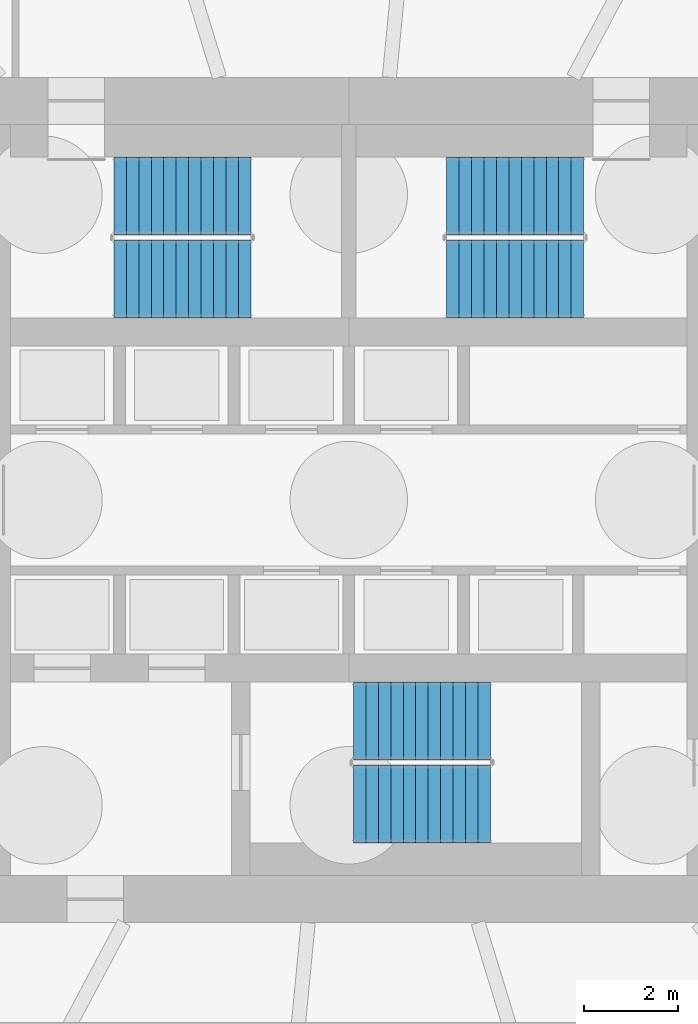
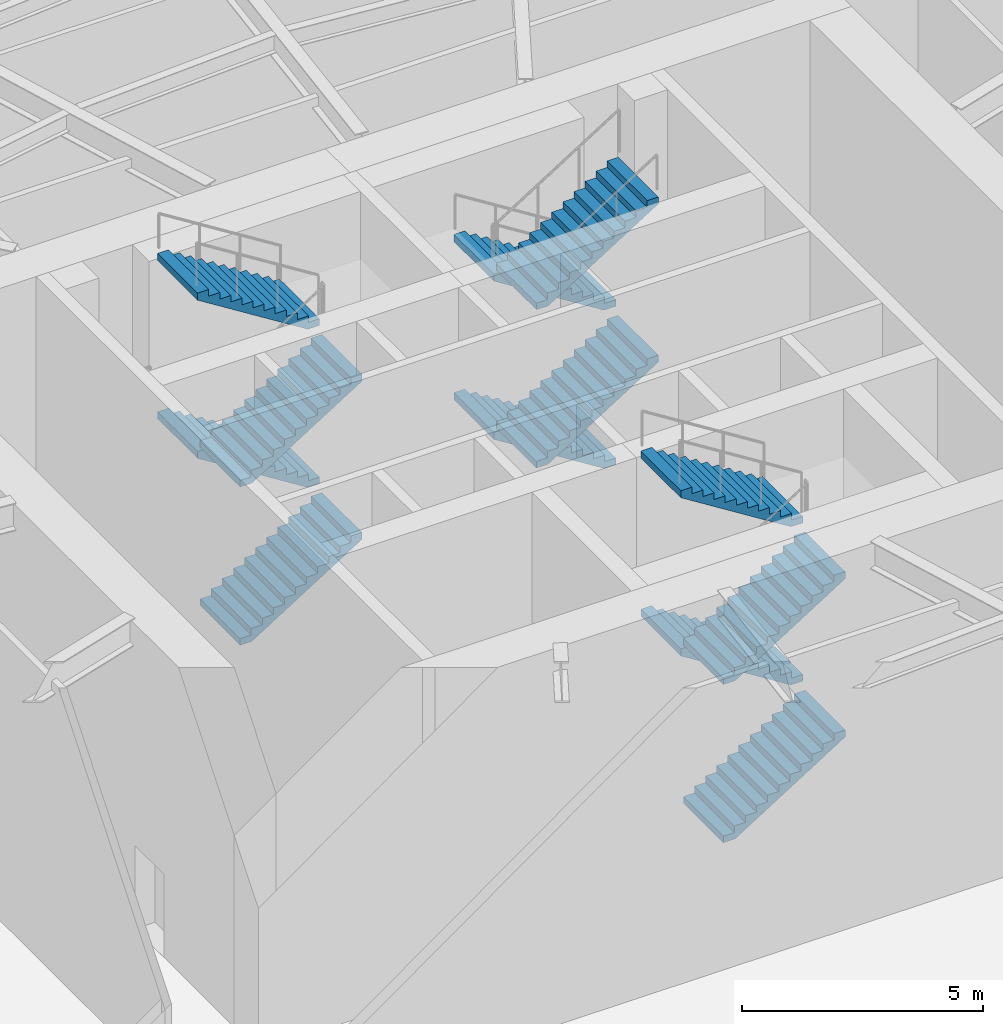
# One storey, part 25 of 27: 12 stair flights, 3 elements without a shape of their own.
"""IFC4 building model written with IfcOpenShell, lengths in metres."""

import ifcopenshell
import ifcopenshell.guid

model = None  # the IFC model being written
_history = None  # IfcOwnerHistory: only IFC2X3 demands one
_inside = {}  # id of a spatial element -> (the spatial element, [elements in it])
_under = {}  # id of a project, library or spatial element -> (it, [spatial elements below it])
_declared = {}  # id of a project -> (the project, [libraries it declares])
_typed = {}  # id of a type object -> (the type object, [elements of that type])
_made_of = {}  # id of a material, layer set ... -> (it, [elements and type objects made of it])


def new_model(schema):
    """Start an empty IFC model of exactly this schema.

    Asked for "IFC4X3", IfcOpenShell would pick the latest addendum, in which some entities
    have other attributes; the version numbers below select the first issue.
    IFC2X3 requires an IfcOwnerHistory on every rooted entity: one is made here for all.
    """
    global model, _history
    if schema == "IFC4X3":
        model = ifcopenshell.file(schema_version=(4, 3, 0, 0))
    else:
        model = ifcopenshell.file(schema=schema)
    _inside.clear()
    _under.clear()
    _declared.clear()
    _typed.clear()
    _made_of.clear()
    _history = None
    if model.schema == "IFC2X3":
        org = make("IfcOrganization", Name="unknown")
        user = make(
            "IfcPersonAndOrganization",
            ThePerson=make("IfcPerson", FamilyName="unknown"),
            TheOrganization=org,
        )
        app = make(
            "IfcApplication",
            ApplicationDeveloper=org,
            Version="unknown",
            ApplicationFullName="unknown",
            ApplicationIdentifier="unknown",
        )
        _history = make(
            "IfcOwnerHistory",
            OwningUser=user,
            OwningApplication=app,
            ChangeAction="ADDED",
            CreationDate=0,
        )
    return model


def make(cls, **values):
    """One entity of the class cls with the attributes given. An attribute that is None is left unset."""
    return model.create_entity(
        cls, **{name: value for name, value in values.items() if value is not None}
    )


def rooted(cls, **values):
    """An entity with a GlobalId (a new one), such as an element, a storey or a relation."""
    return make(cls, GlobalId=ifcopenshell.guid.new(), OwnerHistory=_history, **values)


def si_unit(unit_type, name, prefix=None):
    """IfcSIUnit, for example si_unit("LENGTHUNIT", "METRE", prefix="MILLI")."""
    return make("IfcSIUnit", UnitType=unit_type, Prefix=prefix, Name=name)


def assignment(units):
    """IfcUnitAssignment: the units of a project."""
    return None if units is None else make("IfcUnitAssignment", Units=units)


def point(xyz):
    """IfcCartesianPoint."""
    return None if xyz is None else make("IfcCartesianPoint", Coordinates=xyz)


def direction(xyz):
    """IfcDirection."""
    return None if xyz is None else make("IfcDirection", DirectionRatios=xyz)


def frame(location, z_axis=None, x_axis=None):
    """IfcAxis2Placement3D, a coordinate frame: its origin and axes. An axis left out is left unset."""
    return make(
        "IfcAxis2Placement3D",
        Location=point(location),
        Axis=direction(z_axis),
        RefDirection=direction(x_axis),
    )


def origin():
    """The frame at (0, 0, 0) with its axes left unset."""
    return frame((0.0, 0.0, 0.0))


def place(relative_to, where):
    """IfcLocalPlacement: puts the frame where relative to a parent placement (None: the world)."""
    return make(
        "IfcLocalPlacement", PlacementRelTo=relative_to, RelativePlacement=where
    )


def context(
    kind, dimensions, precision=None, world=None, true_north=None, identifier=None
):
    """IfcGeometricRepresentationContext, for example the 3D "Model" context."""
    return make(
        "IfcGeometricRepresentationContext",
        ContextIdentifier=identifier,
        ContextType=kind,
        CoordinateSpaceDimension=dimensions,
        Precision=precision,
        WorldCoordinateSystem=world,
        TrueNorth=true_north,
    )


def subcontext(parent, identifier, kind, view, scale=None):
    """IfcGeometricRepresentationSubContext, for example "Body" below "Model"."""
    return make(
        "IfcGeometricRepresentationSubContext",
        ContextIdentifier=identifier,
        ContextType=kind,
        ParentContext=parent,
        TargetScale=scale,
        TargetView=view,
    )


def project(units=None, contexts=None):
    """IfcProject with its units and contexts."""
    return rooted(
        "IfcProject",
        Name="project",
        RepresentationContexts=contexts,
        UnitsInContext=assignment(units),
    )


def spatial(cls, under=None, at=None, **own):
    """A site, building, storey or space (cls), placed at a placement, below another one or the project."""
    s = rooted(cls, ObjectPlacement=at, **own)
    if under is not None:
        _under.setdefault(under.id(), (under, []))[1].append(s)
    return s


def polyline(points):
    """IfcPolyline through the points."""
    return make("IfcPolyline", Points=[point(p) for p in points])


def outline(outer, holes=None, kind="AREA"):
    """IfcArbitraryClosedProfileDef: a profile drawn as a closed curve; with holes, ...WithVoids."""
    if holes is None:
        return make("IfcArbitraryClosedProfileDef", ProfileType=kind, OuterCurve=outer)
    return make(
        "IfcArbitraryProfileDefWithVoids",
        ProfileType=kind,
        OuterCurve=outer,
        InnerCurves=holes,
    )


def extrude(swept, where, along, depth):
    """IfcExtrudedAreaSolid: the profile swept, set in the frame where, extruded along a direction by depth."""
    return make(
        "IfcExtrudedAreaSolid",
        SweptArea=swept,
        Position=where,
        ExtrudedDirection=direction(along),
        Depth=depth,
    )


def shape(context_of_items, identifier, shape_type, items):
    """IfcShapeRepresentation: the items that make up one representation, for example the "Body"."""
    return make(
        "IfcShapeRepresentation",
        ContextOfItems=context_of_items,
        RepresentationIdentifier=identifier,
        RepresentationType=shape_type,
        Items=items,
    )


def material(Name=None, Category=None):
    """IfcMaterial."""
    return make("IfcMaterial", Name=Name, Category=Category)


def made_of(thing, what):
    """Note that an element or type object is made of a material, layer set ...; save() writes the relation."""
    if what is not None:
        _made_of.setdefault(what.id(), (what, []))[1].append(thing)
    return thing


def type_object(cls, material=None, **own):
    """A type object (cls), such as IfcWallType, which elements share."""
    return made_of(rooted(cls, **own), material)


def element(
    cls,
    number,
    at=None,
    inside=None,
    cuts=None,
    type_object=None,
    material=None,
    context=None,
    identifier="Body",
    shape_type=None,
    held_by="IfcProductDefinitionShape",
    body=None,
    shapes=None,
    **own,
):
    """One element of the class cls, such as IfcWall. Its Tag is "e" and its number.

    at: its placement. inside: the storey or other place that contains it. cuts: it is an
    opening in that element (IfcRelVoidsElement). A single representation is given by context,
    identifier, shape_type and body (its items); several are given by shapes. held_by: the class
    of the entity that holds the representations. save() writes the other relations.
    """
    e = rooted(cls, Tag="e%d" % number, ObjectPlacement=at, **own)
    if body is not None:
        shapes = [shape(context, identifier, shape_type, body)]
    if shapes is not None:
        e.Representation = make(held_by, Representations=shapes)
    if inside is not None:
        _inside.setdefault(inside.id(), (inside, []))[1].append(e)
    if cuts is not None:
        rooted(
            "IfcRelVoidsElement", RelatingBuildingElement=cuts, RelatedOpeningElement=e
        )
    if type_object is not None:
        _typed.setdefault(type_object.id(), (type_object, []))[1].append(e)
    return made_of(e, material)


def aggregate(whole, parts):
    """IfcRelAggregates: a whole, such as a stair, and the parts it consists of."""
    return rooted("IfcRelAggregates", RelatingObject=whole, RelatedObjects=parts)


def save(model, path):
    """Write the relations noted so far, then the file.

    IfcRelAggregates (storeys below a building ...), IfcRelContainedInSpatialStructure (elements
    in a storey), IfcRelDefinesByType, IfcRelAssociatesMaterial and IfcRelDeclares: one each for
    every whole, place, type object, material and project.
    """
    for whole, parts in _under.values():
        aggregate(whole, parts)
    for where, things in _inside.values():
        rooted(
            "IfcRelContainedInSpatialStructure",
            RelatedElements=things,
            RelatingStructure=where,
        )
    for kind, things in _typed.values():
        rooted("IfcRelDefinesByType", RelatedObjects=things, RelatingType=kind)
    for what, things in _made_of.values():
        rooted("IfcRelAssociatesMaterial", RelatedObjects=things, RelatingMaterial=what)
    for by, libraries in _declared.values():
        rooted("IfcRelDeclares", RelatingContext=by, RelatedDefinitions=libraries)
    model.write(path)


model = new_model("IFC4")

# Units and contexts
model_context = context("Model", 3, precision=1e-05, world=origin(), true_north=direction((0.0, 1.0)))
body_context = subcontext(model_context, "Body", "Model", "MODEL_VIEW")
ifc_project = project(units=[si_unit("LENGTHUNIT", "METRE"), si_unit("AREAUNIT", "SQUARE_METRE"), si_unit("VOLUMEUNIT", "CUBIC_METRE"), si_unit("PLANEANGLEUNIT", "RADIAN"), si_unit("MASSUNIT", "GRAM", prefix="KILO")], contexts=[model_context])

# Site, building, storey
site_placement = place(None, origin())
site = spatial("IfcSite", under=ifc_project, at=site_placement, CompositionType="ELEMENT")
building_placement = place(site_placement, origin())
building = spatial("IfcBuilding", under=site, at=building_placement, Name="Vermilion Reach Broadcast Tower", CompositionType="ELEMENT")
storey_placement = place(building_placement, origin())
storey = spatial("IfcBuildingStorey", under=building, at=storey_placement, Name="L00", CompositionType="ELEMENT", Elevation=0.0)

# Stair, stair flights
ifc_material_1 = material(Name="Concrete C40", Category="concrete")
stair_type = type_object("IfcStairType", Name="Exit stair RC 48 risers 167 mm", PredefinedType="HALF_TURN_STAIR", material=ifc_material_1)
placement = place(storey_placement, origin())
stair_1 = element("IfcStair", 1, at=placement, inside=storey, type_object=stair_type, Name="L00 Exit stair ST1", PredefinedType="HALF_TURN_STAIR")
ifc_material_2 = material(Name="Concrete C40", Category="concrete")
stair_flight_type = type_object("IfcStairFlightType", Name="Exit stair flight RC 12 risers", PredefinedType="STRAIGHT", material=ifc_material_2)
stair_flight_1_placement = place(storey_placement, frame((-11.0, 4.7099609375, 0.0), z_axis=(0.0, 0.0, 1.0), x_axis=(1.0, 0.0, 0.0)))
stair_flight_1 = element("IfcStairFlight", 2, at=stair_flight_1_placement, type_object=stair_flight_type, Name="ST1 flight 1", NumberOfRisers=12, NumberOfTreads=11, PredefinedType="STRAIGHT", RiserHeight=0.166666667, TreadLength=0.265, context=body_context, shape_type="SweptSolid", body=[
    extrude(outline(polyline([(0.0, 0.0), (0.0, 0.166748046875), (0.264892578125, 0.166748046875), (0.264892578125, 0.333251953125), (0.530029296875, 0.333251953125), (0.530029296875, 0.5), (0.794921875, 0.5), (0.794921875, 0.666748046875), (1.06005859375, 0.666748046875), (1.06005859375, 0.833251953125), (1.324951171875, 0.833251953125), (1.324951171875, 1.0), (1.590087890625, 1.0), (1.590087890625, 1.166748046875), (1.85498046875, 1.166748046875), (1.85498046875, 1.333251953125), (2.1201171875, 1.333251953125), (2.1201171875, 1.5), (2.385009765625, 1.5), (2.385009765625, 1.666748046875), (2.64990234375, 1.666748046875), (2.64990234375, 1.833251953125), (2.9150390625, 1.833251953125), (2.9150390625, 2.0), (2.9150390625, 1.65625), (0.281494140625, 0.0), (0.0, 0.0)])), frame((0.0, 0.830078125, 0.0), z_axis=(0.0, -1.0, 0.0), x_axis=(1.0, 0.0, 0.0)), (0.0, 0.0, 1.0), 1.659912109375),
])
stair_flight_2_placement = place(storey_placement, frame((-8.0849609375, 6.469970703125, 2.0), z_axis=(0.0, 0.0, 1.0), x_axis=(-1.0, 0.0, 0.0)))
stair_flight_2 = element("IfcStairFlight", 3, at=stair_flight_2_placement, type_object=stair_flight_type, Name="ST1 flight 2", NumberOfRisers=12, NumberOfTreads=11, PredefinedType="STRAIGHT", RiserHeight=0.166666667, TreadLength=0.265, context=body_context, shape_type="SweptSolid", body=[
    extrude(outline(polyline([(0.0, 0.0), (0.0, 0.166748046875), (0.264892578125, 0.166748046875), (0.264892578125, 0.333251953125), (0.530029296875, 0.333251953125), (0.530029296875, 0.5), (0.794921875, 0.5), (0.794921875, 0.666748046875), (1.06005859375, 0.666748046875), (1.06005859375, 0.833251953125), (1.324951171875, 0.833251953125), (1.324951171875, 1.0), (1.590087890625, 1.0), (1.590087890625, 1.166748046875), (1.85498046875, 1.166748046875), (1.85498046875, 1.333251953125), (2.1201171875, 1.333251953125), (2.1201171875, 1.5), (2.385009765625, 1.5), (2.385009765625, 1.666748046875), (2.64990234375, 1.666748046875), (2.64990234375, 1.833251953125), (2.9150390625, 1.833251953125), (2.9150390625, 2.0), (2.9150390625, 1.65625), (0.281494140625, 0.0), (0.0, 0.0)])), frame((0.0, 0.830078125, 0.0), z_axis=(0.0, -1.0, 0.0), x_axis=(1.0, 0.0, 0.0)), (0.0, 0.0, 1.0), 1.659912109375),
])
stair_flight_3_placement = place(storey_placement, frame((-11.0, 4.7099609375, 4.0), z_axis=(0.0, 0.0, 1.0), x_axis=(1.0, 0.0, 0.0)))
stair_flight_3 = element("IfcStairFlight", 4, at=stair_flight_3_placement, type_object=stair_flight_type, Name="ST1 flight 3", NumberOfRisers=12, NumberOfTreads=11, PredefinedType="STRAIGHT", RiserHeight=0.166666667, TreadLength=0.265, context=body_context, shape_type="SweptSolid", body=[
    extrude(outline(polyline([(0.0, 0.0), (0.0, 0.166748046875), (0.264892578125, 0.166748046875), (0.264892578125, 0.333251953125), (0.530029296875, 0.333251953125), (0.530029296875, 0.5), (0.794921875, 0.5), (0.794921875, 0.666748046875), (1.06005859375, 0.666748046875), (1.06005859375, 0.833251953125), (1.324951171875, 0.833251953125), (1.324951171875, 1.0), (1.590087890625, 1.0), (1.590087890625, 1.166748046875), (1.85498046875, 1.166748046875), (1.85498046875, 1.333251953125), (2.1201171875, 1.333251953125), (2.1201171875, 1.5), (2.385009765625, 1.5), (2.385009765625, 1.666748046875), (2.64990234375, 1.666748046875), (2.64990234375, 1.833251953125), (2.9150390625, 1.833251953125), (2.9150390625, 2.0), (2.9150390625, 1.65625), (0.281494140625, 0.0), (0.0, 0.0)])), frame((0.0, 0.830078125, 0.0), z_axis=(0.0, -1.0, 0.0), x_axis=(1.0, 0.0, 0.0)), (0.0, 0.0, 1.0), 1.659912109375),
])
stair_flight_4_placement = place(storey_placement, frame((-8.0849609375, 6.469970703125, 6.0), z_axis=(0.0, 0.0, 1.0), x_axis=(-1.0, 0.0, 0.0)))
stair_flight_4 = element("IfcStairFlight", 5, at=stair_flight_4_placement, type_object=stair_flight_type, Name="ST1 flight 4", NumberOfRisers=12, NumberOfTreads=11, PredefinedType="STRAIGHT", RiserHeight=0.166666667, TreadLength=0.265, context=body_context, shape_type="SweptSolid", body=[
    extrude(outline(polyline([(0.0, 0.0), (0.0, 0.166748046875), (0.264892578125, 0.166748046875), (0.264892578125, 0.333251953125), (0.530029296875, 0.333251953125), (0.530029296875, 0.5), (0.794921875, 0.5), (0.794921875, 0.666748046875), (1.06005859375, 0.666748046875), (1.06005859375, 0.833251953125), (1.324951171875, 0.833251953125), (1.324951171875, 1.0), (1.590087890625, 1.0), (1.590087890625, 1.166748046875), (1.85498046875, 1.166748046875), (1.85498046875, 1.333251953125), (2.1201171875, 1.333251953125), (2.1201171875, 1.5), (2.385009765625, 1.5), (2.385009765625, 1.666748046875), (2.64990234375, 1.666748046875), (2.64990234375, 1.833251953125), (2.9150390625, 1.833251953125), (2.9150390625, 2.0), (2.9150390625, 1.65625), (0.281494140625, 0.0), (0.0, 0.0)])), frame((0.0, 0.830078125, 0.0), z_axis=(0.0, -1.0, 0.0), x_axis=(1.0, 0.0, 0.0)), (0.0, 0.0, 1.0), 1.659912109375),
])
aggregate(stair_1, [stair_flight_1, stair_flight_2, stair_flight_3, stair_flight_4])

stair_2 = element("IfcStair", 6, at=placement, inside=storey, type_object=stair_type, Name="L00 Exit stair ST2", PredefinedType="HALF_TURN_STAIR")
stair_flight_5_placement = place(storey_placement, frame((-1.0, 6.469970703125, 0.0), z_axis=(0.0, 0.0, 1.0), x_axis=(-1.0, 0.0, 0.0)))
stair_flight_5 = element("IfcStairFlight", 7, at=stair_flight_5_placement, type_object=stair_flight_type, Name="ST2 flight 1", NumberOfRisers=12, NumberOfTreads=11, PredefinedType="STRAIGHT", RiserHeight=0.166666667, TreadLength=0.265, context=body_context, shape_type="SweptSolid", body=[
    extrude(outline(polyline([(0.0, 0.0), (0.0, 0.166748046875), (0.264892578125, 0.166748046875), (0.264892578125, 0.333251953125), (0.530029296875, 0.333251953125), (0.530029296875, 0.5), (0.794921875, 0.5), (0.794921875, 0.666748046875), (1.06005859375, 0.666748046875), (1.06005859375, 0.833251953125), (1.324951171875, 0.833251953125), (1.324951171875, 1.0), (1.590087890625, 1.0), (1.590087890625, 1.166748046875), (1.85498046875, 1.166748046875), (1.85498046875, 1.333251953125), (2.1201171875, 1.333251953125), (2.1201171875, 1.5), (2.385009765625, 1.5), (2.385009765625, 1.666748046875), (2.64990234375, 1.666748046875), (2.64990234375, 1.833251953125), (2.9150390625, 1.833251953125), (2.9150390625, 2.0), (2.9150390625, 1.65625), (0.281494140625, 0.0), (0.0, 0.0)])), frame((0.0, 0.830078125, 0.0), z_axis=(0.0, -1.0, 0.0), x_axis=(1.0, 0.0, 0.0)), (0.0, 0.0, 1.0), 1.659912109375),
])
stair_flight_6_placement = place(storey_placement, frame((-3.9150390625, 4.7099609375, 2.0), z_axis=(0.0, 0.0, 1.0), x_axis=(1.0, 0.0, 0.0)))
stair_flight_6 = element("IfcStairFlight", 8, at=stair_flight_6_placement, type_object=stair_flight_type, Name="ST2 flight 2", NumberOfRisers=12, NumberOfTreads=11, PredefinedType="STRAIGHT", RiserHeight=0.166666667, TreadLength=0.265, context=body_context, shape_type="SweptSolid", body=[
    extrude(outline(polyline([(0.0, 0.0), (0.0, 0.166748046875), (0.264892578125, 0.166748046875), (0.264892578125, 0.333251953125), (0.530029296875, 0.333251953125), (0.530029296875, 0.5), (0.794921875, 0.5), (0.794921875, 0.666748046875), (1.06005859375, 0.666748046875), (1.06005859375, 0.833251953125), (1.324951171875, 0.833251953125), (1.324951171875, 1.0), (1.590087890625, 1.0), (1.590087890625, 1.166748046875), (1.85498046875, 1.166748046875), (1.85498046875, 1.333251953125), (2.1201171875, 1.333251953125), (2.1201171875, 1.5), (2.385009765625, 1.5), (2.385009765625, 1.666748046875), (2.64990234375, 1.666748046875), (2.64990234375, 1.833251953125), (2.9150390625, 1.833251953125), (2.9150390625, 2.0), (2.9150390625, 1.65625), (0.281494140625, 0.0), (0.0, 0.0)])), frame((0.0, 0.830078125, 0.0), z_axis=(0.0, -1.0, 0.0), x_axis=(1.0, 0.0, 0.0)), (0.0, 0.0, 1.0), 1.659912109375),
])
stair_flight_7_placement = place(storey_placement, frame((-1.0, 6.469970703125, 4.0), z_axis=(0.0, 0.0, 1.0), x_axis=(-1.0, 0.0, 0.0)))
stair_flight_7 = element("IfcStairFlight", 9, at=stair_flight_7_placement, type_object=stair_flight_type, Name="ST2 flight 3", NumberOfRisers=12, NumberOfTreads=11, PredefinedType="STRAIGHT", RiserHeight=0.166666667, TreadLength=0.265, context=body_context, shape_type="SweptSolid", body=[
    extrude(outline(polyline([(0.0, 0.0), (0.0, 0.166748046875), (0.264892578125, 0.166748046875), (0.264892578125, 0.333251953125), (0.530029296875, 0.333251953125), (0.530029296875, 0.5), (0.794921875, 0.5), (0.794921875, 0.666748046875), (1.06005859375, 0.666748046875), (1.06005859375, 0.833251953125), (1.324951171875, 0.833251953125), (1.324951171875, 1.0), (1.590087890625, 1.0), (1.590087890625, 1.166748046875), (1.85498046875, 1.166748046875), (1.85498046875, 1.333251953125), (2.1201171875, 1.333251953125), (2.1201171875, 1.5), (2.385009765625, 1.5), (2.385009765625, 1.666748046875), (2.64990234375, 1.666748046875), (2.64990234375, 1.833251953125), (2.9150390625, 1.833251953125), (2.9150390625, 2.0), (2.9150390625, 1.65625), (0.281494140625, 0.0), (0.0, 0.0)])), frame((0.0, 0.830078125, 0.0), z_axis=(0.0, -1.0, 0.0), x_axis=(1.0, 0.0, 0.0)), (0.0, 0.0, 1.0), 1.659912109375),
])
stair_flight_8_placement = place(storey_placement, frame((-3.9150390625, 4.7099609375, 6.0), z_axis=(0.0, 0.0, 1.0), x_axis=(1.0, 0.0, 0.0)))
stair_flight_8 = element("IfcStairFlight", 10, at=stair_flight_8_placement, type_object=stair_flight_type, Name="ST2 flight 4", NumberOfRisers=12, NumberOfTreads=11, PredefinedType="STRAIGHT", RiserHeight=0.166666667, TreadLength=0.265, context=body_context, shape_type="SweptSolid", body=[
    extrude(outline(polyline([(0.0, 0.0), (0.0, 0.166748046875), (0.264892578125, 0.166748046875), (0.264892578125, 0.333251953125), (0.530029296875, 0.333251953125), (0.530029296875, 0.5), (0.794921875, 0.5), (0.794921875, 0.666748046875), (1.06005859375, 0.666748046875), (1.06005859375, 0.833251953125), (1.324951171875, 0.833251953125), (1.324951171875, 1.0), (1.590087890625, 1.0), (1.590087890625, 1.166748046875), (1.85498046875, 1.166748046875), (1.85498046875, 1.333251953125), (2.1201171875, 1.333251953125), (2.1201171875, 1.5), (2.385009765625, 1.5), (2.385009765625, 1.666748046875), (2.64990234375, 1.666748046875), (2.64990234375, 1.833251953125), (2.9150390625, 1.833251953125), (2.9150390625, 2.0), (2.9150390625, 1.65625), (0.281494140625, 0.0), (0.0, 0.0)])), frame((0.0, 0.830078125, 0.0), z_axis=(0.0, -1.0, 0.0), x_axis=(1.0, 0.0, 0.0)), (0.0, 0.0, 1.0), 1.659912109375),
])
aggregate(stair_2, [stair_flight_5, stair_flight_6, stair_flight_7, stair_flight_8])

stair_3 = element("IfcStair", 11, at=placement, inside=storey, type_object=stair_type, Name="L00 Exit stair ST3", PredefinedType="HALF_TURN_STAIR")
stair_flight_9_placement = place(storey_placement, frame((-5.89990234375, -6.469970703125, 0.0), z_axis=(0.0, 0.0, 1.0), x_axis=(1.0, 0.0, 0.0)))
stair_flight_9 = element("IfcStairFlight", 12, at=stair_flight_9_placement, type_object=stair_flight_type, Name="ST3 flight 1", NumberOfRisers=12, NumberOfTreads=11, PredefinedType="STRAIGHT", RiserHeight=0.166666667, TreadLength=0.265, context=body_context, shape_type="SweptSolid", body=[
    extrude(outline(polyline([(0.0, 0.0), (0.0, 0.166748046875), (0.264892578125, 0.166748046875), (0.264892578125, 0.333251953125), (0.530029296875, 0.333251953125), (0.530029296875, 0.5), (0.794921875, 0.5), (0.794921875, 0.666748046875), (1.06005859375, 0.666748046875), (1.06005859375, 0.833251953125), (1.324951171875, 0.833251953125), (1.324951171875, 1.0), (1.590087890625, 1.0), (1.590087890625, 1.166748046875), (1.85498046875, 1.166748046875), (1.85498046875, 1.333251953125), (2.1201171875, 1.333251953125), (2.1201171875, 1.5), (2.385009765625, 1.5), (2.385009765625, 1.666748046875), (2.64990234375, 1.666748046875), (2.64990234375, 1.833251953125), (2.9150390625, 1.833251953125), (2.9150390625, 2.0), (2.9150390625, 1.65625), (0.281494140625, 0.0), (0.0, 0.0)])), frame((0.0, 0.830078125, 0.0), z_axis=(0.0, -1.0, 0.0), x_axis=(1.0, 0.0, 0.0)), (0.0, 0.0, 1.0), 1.659912109375),
])
stair_flight_10_placement = place(storey_placement, frame((-2.985107421875, -4.7099609375, 2.0), z_axis=(0.0, 0.0, 1.0), x_axis=(-1.0, 0.0, 0.0)))
stair_flight_10 = element("IfcStairFlight", 13, at=stair_flight_10_placement, type_object=stair_flight_type, Name="ST3 flight 2", NumberOfRisers=12, NumberOfTreads=11, PredefinedType="STRAIGHT", RiserHeight=0.166666667, TreadLength=0.265, context=body_context, shape_type="SweptSolid", body=[
    extrude(outline(polyline([(0.0, 0.0), (0.0, 0.166748046875), (0.264892578125, 0.166748046875), (0.264892578125, 0.333251953125), (0.530029296875, 0.333251953125), (0.530029296875, 0.5), (0.794921875, 0.5), (0.794921875, 0.666748046875), (1.06005859375, 0.666748046875), (1.06005859375, 0.833251953125), (1.324951171875, 0.833251953125), (1.324951171875, 1.0), (1.590087890625, 1.0), (1.590087890625, 1.166748046875), (1.85498046875, 1.166748046875), (1.85498046875, 1.333251953125), (2.1201171875, 1.333251953125), (2.1201171875, 1.5), (2.385009765625, 1.5), (2.385009765625, 1.666748046875), (2.64990234375, 1.666748046875), (2.64990234375, 1.833251953125), (2.9150390625, 1.833251953125), (2.9150390625, 2.0), (2.9150390625, 1.65625), (0.281494140625, 0.0), (0.0, 0.0)])), frame((0.0, 0.830078125, 0.0), z_axis=(0.0, -1.0, 0.0), x_axis=(1.0, 0.0, 0.0)), (0.0, 0.0, 1.0), 1.659912109375),
])
stair_flight_11_placement = place(storey_placement, frame((-5.89990234375, -6.469970703125, 4.0), z_axis=(0.0, 0.0, 1.0), x_axis=(1.0, 0.0, 0.0)))
stair_flight_11 = element("IfcStairFlight", 14, at=stair_flight_11_placement, type_object=stair_flight_type, Name="ST3 flight 3", NumberOfRisers=12, NumberOfTreads=11, PredefinedType="STRAIGHT", RiserHeight=0.166666667, TreadLength=0.265, context=body_context, shape_type="SweptSolid", body=[
    extrude(outline(polyline([(0.0, 0.0), (0.0, 0.166748046875), (0.264892578125, 0.166748046875), (0.264892578125, 0.333251953125), (0.530029296875, 0.333251953125), (0.530029296875, 0.5), (0.794921875, 0.5), (0.794921875, 0.666748046875), (1.06005859375, 0.666748046875), (1.06005859375, 0.833251953125), (1.324951171875, 0.833251953125), (1.324951171875, 1.0), (1.590087890625, 1.0), (1.590087890625, 1.166748046875), (1.85498046875, 1.166748046875), (1.85498046875, 1.333251953125), (2.1201171875, 1.333251953125), (2.1201171875, 1.5), (2.385009765625, 1.5), (2.385009765625, 1.666748046875), (2.64990234375, 1.666748046875), (2.64990234375, 1.833251953125), (2.9150390625, 1.833251953125), (2.9150390625, 2.0), (2.9150390625, 1.65625), (0.281494140625, 0.0), (0.0, 0.0)])), frame((0.0, 0.830078125, 0.0), z_axis=(0.0, -1.0, 0.0), x_axis=(1.0, 0.0, 0.0)), (0.0, 0.0, 1.0), 1.659912109375),
])
stair_flight_12_placement = place(storey_placement, frame((-2.985107421875, -4.7099609375, 6.0), z_axis=(0.0, 0.0, 1.0), x_axis=(-1.0, 0.0, 0.0)))
stair_flight_12 = element("IfcStairFlight", 15, at=stair_flight_12_placement, type_object=stair_flight_type, Name="ST3 flight 4", NumberOfRisers=12, NumberOfTreads=11, PredefinedType="STRAIGHT", RiserHeight=0.166666667, TreadLength=0.265, context=body_context, shape_type="SweptSolid", body=[
    extrude(outline(polyline([(0.0, 0.0), (0.0, 0.166748046875), (0.264892578125, 0.166748046875), (0.264892578125, 0.333251953125), (0.530029296875, 0.333251953125), (0.530029296875, 0.5), (0.794921875, 0.5), (0.794921875, 0.666748046875), (1.06005859375, 0.666748046875), (1.06005859375, 0.833251953125), (1.324951171875, 0.833251953125), (1.324951171875, 1.0), (1.590087890625, 1.0), (1.590087890625, 1.166748046875), (1.85498046875, 1.166748046875), (1.85498046875, 1.333251953125), (2.1201171875, 1.333251953125), (2.1201171875, 1.5), (2.385009765625, 1.5), (2.385009765625, 1.666748046875), (2.64990234375, 1.666748046875), (2.64990234375, 1.833251953125), (2.9150390625, 1.833251953125), (2.9150390625, 2.0), (2.9150390625, 1.65625), (0.281494140625, 0.0), (0.0, 0.0)])), frame((0.0, 0.830078125, 0.0), z_axis=(0.0, -1.0, 0.0), x_axis=(1.0, 0.0, 0.0)), (0.0, 0.0, 1.0), 1.659912109375),
])
aggregate(stair_3, [stair_flight_9, stair_flight_10, stair_flight_11, stair_flight_12])

save(model, "model.ifc")
